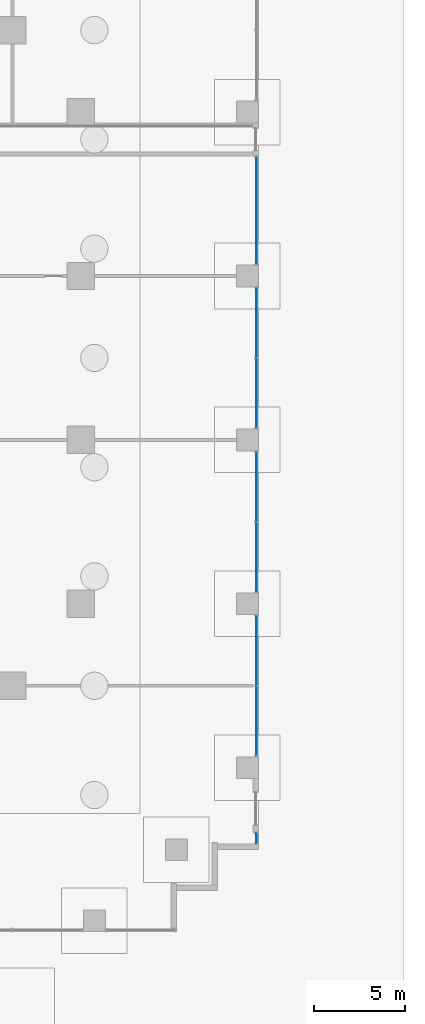
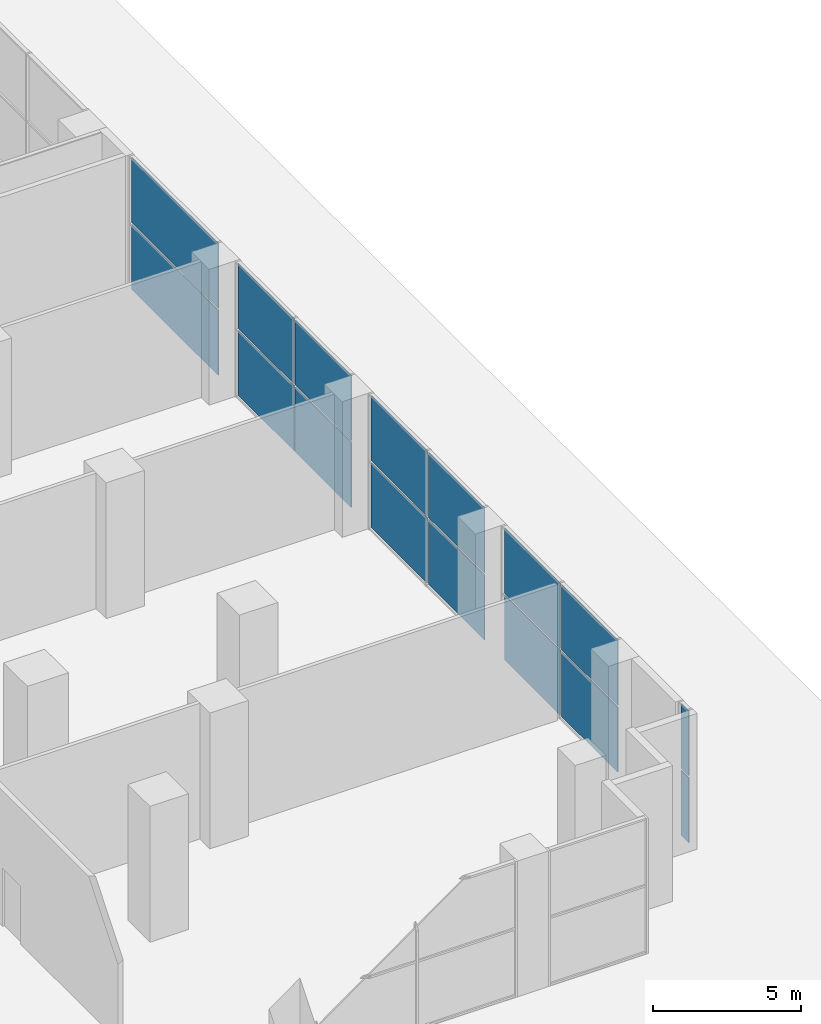
# One storey, part 12 of 20: 16 plates, 5 elements without a shape of their own.
"""IFC4 building model written with IfcOpenShell, lengths in metres."""

from ifc_helpers import new_model, si_unit, direction, frame, origin, origin_2d, place, context, subcontext, project, spatial, rectangle, extrude, material, layer, layer_set, type_object, element, aggregate, save


model = new_model("IFC4")

# Units and contexts
model_context = context("Model", 3, precision=1e-05, world=origin(), true_north=direction((0.0, 1.0)))
body_context = subcontext(model_context, "Body", "Model", "MODEL_VIEW")
ifc_project = project(units=[si_unit("LENGTHUNIT", "METRE"), si_unit("AREAUNIT", "SQUARE_METRE"), si_unit("VOLUMEUNIT", "CUBIC_METRE"), si_unit("PLANEANGLEUNIT", "RADIAN"), si_unit("MASSUNIT", "GRAM", prefix="KILO")], contexts=[model_context])

# Site, building, storey
site_placement = place(None, origin())
site = spatial("IfcSite", under=ifc_project, at=site_placement, CompositionType="ELEMENT")
building_placement = place(site_placement, origin())
building = spatial("IfcBuilding", under=site, at=building_placement, Name="Orbiselva Terraces", CompositionType="ELEMENT")
storey_placement = place(building_placement, origin())
storey = spatial("IfcBuildingStorey", under=building, at=storey_placement, Name="L00", CompositionType="ELEMENT", Elevation=0.0)

# Curtain wall, plates
ifc_material_1 = material(Name="Clear low-e glazing in aluminium frame", Category="aluminium")
curtain_wall_type = type_object("IfcCurtainWallType", Name="ENV-CW-LOBBY", PredefinedType="NOTDEFINED", material=ifc_material_1)
curtain_wall_1_placement = place(storey_placement, origin())
curtain_wall_1 = element("IfcCurtainWall", 1, at=curtain_wall_1_placement, inside=storey, type_object=curtain_wall_type, Name="Curtain wall L00 E", PredefinedType="NOTDEFINED")
ifc_material_2 = material(Name="Clear low-e glass", Category="glass")
ifc_layer = layer(ifc_material_2, 0.028)
ifc_layer_set = layer_set([ifc_layer], Name="Clear low-e glass")
plate_type = type_object("IfcPlateType", Name="ENV-CW-LOBBY-PANEL-28", PredefinedType="CURTAIN_PANEL", material=ifc_layer_set)
plate_1_placement = place(storey_placement, frame((35.9, -26.375, 0.075), z_axis=(0.0, 0.0, 1.0), x_axis=(0.0, 1.0, 0.0)))
plate_1 = element("IfcPlate", 2, at=plate_1_placement, type_object=plate_type, Name="CW1 panel 1.1", PredefinedType="CURTAIN_PANEL", context=body_context, shape_type="SweptSolid", body=[
    extrude(rectangle(XDim=0.5, YDim=0.028, at=origin_2d()), origin(), (0.0, 0.0, 1.0), 2.6875),
])
plate_2_placement = place(storey_placement, frame((35.9, -26.375, 2.8375), z_axis=(0.0, 0.0, 1.0), x_axis=(0.0, 1.0, 0.0)))
plate_2 = element("IfcPlate", 3, at=plate_2_placement, type_object=plate_type, Name="CW1 panel 1.2", PredefinedType="CURTAIN_PANEL", context=body_context, shape_type="SweptSolid", body=[
    extrude(rectangle(XDim=0.5, YDim=0.028, at=origin_2d()), origin(), (0.0, 0.0, 1.0), 2.6875),
])
aggregate(curtain_wall_1, [plate_1, plate_2])

curtain_wall_2_placement = place(storey_placement, origin())
curtain_wall_2 = element("IfcCurtainWall", 4, at=curtain_wall_2_placement, inside=storey, type_object=curtain_wall_type, Name="Curtain wall L00 E", PredefinedType="NOTDEFINED")
plate_3_placement = place(storey_placement, frame((35.9, -19.93125, 0.075), z_axis=(0.0, 0.0, 1.0), x_axis=(0.0, 1.0, 0.0)))
plate_3 = element("IfcPlate", 5, at=plate_3_placement, type_object=plate_type, Name="CW1 panel 1.1", PredefinedType="CURTAIN_PANEL", context=body_context, shape_type="SweptSolid", body=[
    extrude(rectangle(XDim=3.7875, YDim=0.028, at=origin_2d()), origin(), (0.0, 0.0, 1.0), 2.6875),
])
plate_4_placement = place(storey_placement, frame((35.9, -19.93125, 2.8375), z_axis=(0.0, 0.0, 1.0), x_axis=(0.0, 1.0, 0.0)))
plate_4 = element("IfcPlate", 6, at=plate_4_placement, type_object=plate_type, Name="CW1 panel 1.2", PredefinedType="CURTAIN_PANEL", context=body_context, shape_type="SweptSolid", body=[
    extrude(rectangle(XDim=3.7875, YDim=0.028, at=origin_2d()), origin(), (0.0, 0.0, 1.0), 2.6875),
])
plate_5_placement = place(storey_placement, frame((35.9, -16.06875, 0.075), z_axis=(0.0, 0.0, 1.0), x_axis=(0.0, 1.0, 0.0)))
plate_5 = element("IfcPlate", 7, at=plate_5_placement, type_object=plate_type, Name="CW1 panel 2.1", PredefinedType="CURTAIN_PANEL", context=body_context, shape_type="SweptSolid", body=[
    extrude(rectangle(XDim=3.7875, YDim=0.028, at=origin_2d()), origin(), (0.0, 0.0, 1.0), 2.6875),
])
plate_6_placement = place(storey_placement, frame((35.9, -16.06875, 2.8375), z_axis=(0.0, 0.0, 1.0), x_axis=(0.0, 1.0, 0.0)))
plate_6 = element("IfcPlate", 8, at=plate_6_placement, type_object=plate_type, Name="CW1 panel 2.2", PredefinedType="CURTAIN_PANEL", context=body_context, shape_type="SweptSolid", body=[
    extrude(rectangle(XDim=3.7875, YDim=0.028, at=origin_2d()), origin(), (0.0, 0.0, 1.0), 2.6875),
])
aggregate(curtain_wall_2, [plate_3, plate_4, plate_5, plate_6])

curtain_wall_3_placement = place(storey_placement, origin())
curtain_wall_3 = element("IfcCurtainWall", 9, at=curtain_wall_3_placement, inside=storey, type_object=curtain_wall_type, Name="Curtain wall L00 E", PredefinedType="NOTDEFINED")
plate_7_placement = place(storey_placement, frame((35.9, -10.93125, 0.075), z_axis=(0.0, 0.0, 1.0), x_axis=(0.0, 1.0, 0.0)))
plate_7 = element("IfcPlate", 10, at=plate_7_placement, type_object=plate_type, Name="CW1 panel 1.1", PredefinedType="CURTAIN_PANEL", context=body_context, shape_type="SweptSolid", body=[
    extrude(rectangle(XDim=3.7875, YDim=0.028, at=origin_2d()), origin(), (0.0, 0.0, 1.0), 2.6875),
])
plate_8_placement = place(storey_placement, frame((35.9, -10.93125, 2.8375), z_axis=(0.0, 0.0, 1.0), x_axis=(0.0, 1.0, 0.0)))
plate_8 = element("IfcPlate", 11, at=plate_8_placement, type_object=plate_type, Name="CW1 panel 1.2", PredefinedType="CURTAIN_PANEL", context=body_context, shape_type="SweptSolid", body=[
    extrude(rectangle(XDim=3.7875, YDim=0.028, at=origin_2d()), origin(), (0.0, 0.0, 1.0), 2.6875),
])
plate_9_placement = place(storey_placement, frame((35.9, -7.06875, 0.075), z_axis=(0.0, 0.0, 1.0), x_axis=(0.0, 1.0, 0.0)))
plate_9 = element("IfcPlate", 12, at=plate_9_placement, type_object=plate_type, Name="CW1 panel 2.1", PredefinedType="CURTAIN_PANEL", context=body_context, shape_type="SweptSolid", body=[
    extrude(rectangle(XDim=3.7875, YDim=0.028, at=origin_2d()), origin(), (0.0, 0.0, 1.0), 2.6875),
])
plate_10_placement = place(storey_placement, frame((35.9, -7.06875, 2.8375), z_axis=(0.0, 0.0, 1.0), x_axis=(0.0, 1.0, 0.0)))
plate_10 = element("IfcPlate", 13, at=plate_10_placement, type_object=plate_type, Name="CW1 panel 2.2", PredefinedType="CURTAIN_PANEL", context=body_context, shape_type="SweptSolid", body=[
    extrude(rectangle(XDim=3.7875, YDim=0.028, at=origin_2d()), origin(), (0.0, 0.0, 1.0), 2.6875),
])
aggregate(curtain_wall_3, [plate_7, plate_8, plate_9, plate_10])

curtain_wall_4_placement = place(storey_placement, origin())
curtain_wall_4 = element("IfcCurtainWall", 14, at=curtain_wall_4_placement, inside=storey, type_object=curtain_wall_type, Name="Curtain wall L00 E", PredefinedType="NOTDEFINED")
plate_11_placement = place(storey_placement, frame((35.9, -1.93125, 0.075), z_axis=(0.0, 0.0, 1.0), x_axis=(0.0, 1.0, 0.0)))
plate_11 = element("IfcPlate", 15, at=plate_11_placement, type_object=plate_type, Name="CW1 panel 1.1", PredefinedType="CURTAIN_PANEL", context=body_context, shape_type="SweptSolid", body=[
    extrude(rectangle(XDim=3.7875, YDim=0.028, at=origin_2d()), origin(), (0.0, 0.0, 1.0), 2.6875),
])
plate_12_placement = place(storey_placement, frame((35.9, -1.93125, 2.8375), z_axis=(0.0, 0.0, 1.0), x_axis=(0.0, 1.0, 0.0)))
plate_12 = element("IfcPlate", 16, at=plate_12_placement, type_object=plate_type, Name="CW1 panel 1.2", PredefinedType="CURTAIN_PANEL", context=body_context, shape_type="SweptSolid", body=[
    extrude(rectangle(XDim=3.7875, YDim=0.028, at=origin_2d()), origin(), (0.0, 0.0, 1.0), 2.6875),
])
plate_13_placement = place(storey_placement, frame((35.9, 1.93125, 0.075), z_axis=(0.0, 0.0, 1.0), x_axis=(0.0, 1.0, 0.0)))
plate_13 = element("IfcPlate", 17, at=plate_13_placement, type_object=plate_type, Name="CW1 panel 2.1", PredefinedType="CURTAIN_PANEL", context=body_context, shape_type="SweptSolid", body=[
    extrude(rectangle(XDim=3.7875, YDim=0.028, at=origin_2d()), origin(), (0.0, 0.0, 1.0), 2.6875),
])
plate_14_placement = place(storey_placement, frame((35.9, 1.93125, 2.8375), z_axis=(0.0, 0.0, 1.0), x_axis=(0.0, 1.0, 0.0)))
plate_14 = element("IfcPlate", 18, at=plate_14_placement, type_object=plate_type, Name="CW1 panel 2.2", PredefinedType="CURTAIN_PANEL", context=body_context, shape_type="SweptSolid", body=[
    extrude(rectangle(XDim=3.7875, YDim=0.028, at=origin_2d()), origin(), (0.0, 0.0, 1.0), 2.6875),
])
aggregate(curtain_wall_4, [plate_11, plate_12, plate_13, plate_14])

curtain_wall_5_placement = place(storey_placement, origin())
curtain_wall_5 = element("IfcCurtainWall", 19, at=curtain_wall_5_placement, inside=storey, type_object=curtain_wall_type, Name="Curtain wall L00 E", PredefinedType="NOTDEFINED")
plate_15_placement = place(storey_placement, frame((35.9, 8.1, 0.075), z_axis=(0.0, 0.0, 1.0), x_axis=(0.0, 1.0, 0.0)))
plate_15 = element("IfcPlate", 20, at=plate_15_placement, type_object=plate_type, Name="CW1 panel 1.1", PredefinedType="CURTAIN_PANEL", context=body_context, shape_type="SweptSolid", body=[
    extrude(rectangle(XDim=5.85, YDim=0.028, at=origin_2d()), origin(), (0.0, 0.0, 1.0), 2.6875),
])
plate_16_placement = place(storey_placement, frame((35.9, 8.1, 2.8375), z_axis=(0.0, 0.0, 1.0), x_axis=(0.0, 1.0, 0.0)))
plate_16 = element("IfcPlate", 21, at=plate_16_placement, type_object=plate_type, Name="CW1 panel 1.2", PredefinedType="CURTAIN_PANEL", context=body_context, shape_type="SweptSolid", body=[
    extrude(rectangle(XDim=5.85, YDim=0.028, at=origin_2d()), origin(), (0.0, 0.0, 1.0), 2.6875),
])
aggregate(curtain_wall_5, [plate_15, plate_16])

save(model, "model.ifc")
